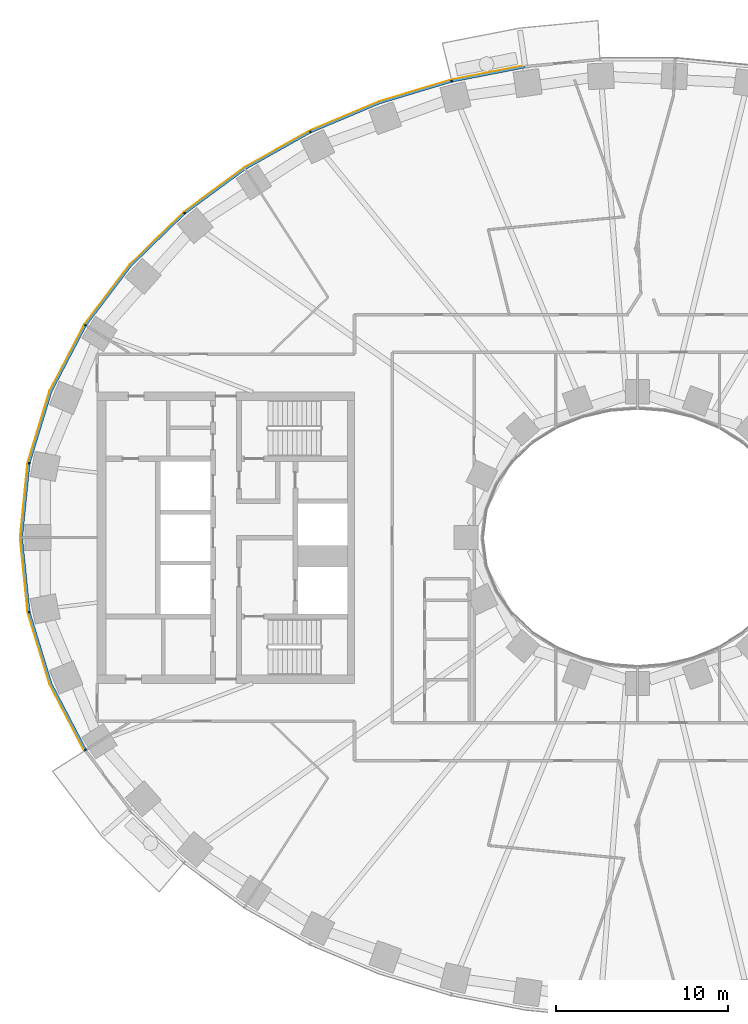
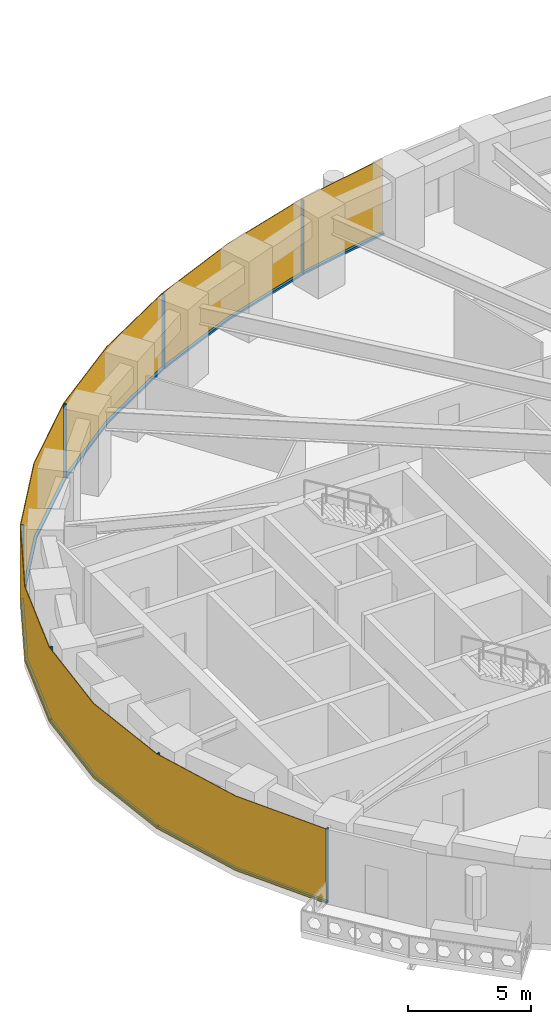
# One storey, part 11 of 16: 14 members, 1 curtain wall.
"""IFC4 building model written with IfcOpenShell, lengths in metres."""

from ifc_helpers import new_model, si_unit, direction, frame, origin, origin_2d, place, context, subcontext, project, spatial, polyline, rectangle, outline, extrude, material, layer, layer_set, material_profile, profile_set, type_object, element, aggregate, save


model = new_model("IFC4")

# Units and contexts
model_context = context("Model", 3, precision=1e-05, world=origin(), true_north=direction((0.0, 1.0)))
body_context = subcontext(model_context, "Body", "Model", "MODEL_VIEW")
ifc_project = project(units=[si_unit("LENGTHUNIT", "METRE"), si_unit("AREAUNIT", "SQUARE_METRE"), si_unit("VOLUMEUNIT", "CUBIC_METRE"), si_unit("PLANEANGLEUNIT", "RADIAN"), si_unit("MASSUNIT", "GRAM", prefix="KILO")], contexts=[model_context])

# Member
ifc_material_1 = material(Name="Aluminium 6063-T6 black anodised", Category="aluminium")
ifc_material_profile = material_profile(ifc_material_1, rectangle(XDim=0.1201171875, YDim=0.06005859375, at=origin_2d()), Name="120x60")
ifc_profile_set = profile_set([ifc_material_profile], Name="Aluminium 6063-T6 black anodised")
member_type_1 = type_object("IfcMemberType", Name="ENV-MULLION-A-120", PredefinedType="MULLION", material=ifc_profile_set)
site_placement = place(None, origin())
building_placement = place(site_placement, origin())
storey_placement = place(building_placement, frame((0.0, 0.0, 42.5)))
member_1_placement = place(storey_placement, frame((-10.84326171875, 26.60498046875, 0.0), z_axis=(0.0, 0.0, 1.0), x_axis=(0.239799081534, -0.970822538106, 0.0)))
member_1 = element("IfcMember", 1, at=member_1_placement, type_object=member_type_1, Name="Mullion A radial 15", PredefinedType="MULLION", context=body_context, shape_type="SweptSolid", body=[
    extrude(rectangle(XDim=0.1201171875, YDim=0.06005859375, at=origin_2d()), origin(), (0.0, 0.0, 1.0), 3.699951171875),
])

member_2_placement = place(storey_placement, frame((-19.06787109375, 23.6474609375, 0.0), z_axis=(0.0, 0.0, 1.0), x_axis=(0.439237769837, -0.898370848563, 0.0)))
member_2 = element("IfcMember", 2, at=member_2_placement, type_object=member_type_1, Name="Mullion A radial 17", PredefinedType="MULLION", context=body_context, shape_type="SweptSolid", body=[
    extrude(rectangle(XDim=0.1201171875, YDim=0.06005859375, at=origin_2d()), origin(), (0.0, 0.0, 1.0), 3.699951171875),
])

member_3_placement = place(storey_placement, frame((-26.403564453125, 18.9130859375, 0.0), z_axis=(0.0, 0.0, 1.0), x_axis=(0.646451313783, -0.762955240435, 0.0)))
member_3 = element("IfcMember", 3, at=member_3_placement, type_object=member_type_1, Name="Mullion A radial 19", PredefinedType="MULLION", context=body_context, shape_type="SweptSolid", body=[
    extrude(rectangle(XDim=0.1201171875, YDim=0.06005859375, at=origin_2d()), origin(), (0.0, 0.0, 1.0), 3.699951171875),
])

member_4_placement = place(storey_placement, frame((-32.177490234375, 12.385498046875, 0.0), z_axis=(0.0, 0.0, 1.0), x_axis=(0.844829880882, -0.53503501976, 0.0)))
member_4 = element("IfcMember", 4, at=member_4_placement, type_object=member_type_1, Name="Mullion A radial 21", PredefinedType="MULLION", context=body_context, shape_type="SweptSolid", body=[
    extrude(rectangle(XDim=0.1201171875, YDim=0.06005859375, at=origin_2d()), origin(), (0.0, 0.0, 1.0), 3.699951171875),
])

member_5_placement = place(storey_placement, frame((-35.470947265625, 4.340576171875, 0.0), z_axis=(0.0, 0.0, 1.0), x_axis=(0.980379083141, -0.19712141776, 0.0)))
member_5 = element("IfcMember", 5, at=member_5_placement, type_object=member_type_1, Name="Mullion A radial 23", PredefinedType="MULLION", context=body_context, shape_type="SweptSolid", body=[
    extrude(rectangle(XDim=0.1201171875, YDim=0.06005859375, at=origin_2d()), origin(), (0.0, 0.0, 1.0), 3.699951171875),
])

member_6_placement = place(storey_placement, frame((-35.470947265625, -4.340576171875, 0.0), z_axis=(0.0, 0.0, 1.0), x_axis=(0.980379083141, 0.19712141776, 0.0)))
member_6 = element("IfcMember", 6, at=member_6_placement, type_object=member_type_1, Name="Mullion A radial 25", PredefinedType="MULLION", context=body_context, shape_type="SweptSolid", body=[
    extrude(rectangle(XDim=0.1201171875, YDim=0.06005859375, at=origin_2d()), origin(), (0.0, 0.0, 1.0), 3.699951171875),
])

member_7_placement = place(storey_placement, frame((-32.177490234375, -12.385498046875, 0.0), z_axis=(0.0, 0.0, 1.0), x_axis=(0.844829880882, 0.53503501976, 0.0)))
member_7 = element("IfcMember", 7, at=member_7_placement, type_object=member_type_1, Name="Mullion A radial 27", PredefinedType="MULLION", context=body_context, shape_type="SweptSolid", body=[
    extrude(rectangle(XDim=0.1201171875, YDim=0.06005859375, at=origin_2d()), origin(), (0.0, 0.0, 1.0), 3.699951171875),
])

ifc_material_2 = material(Name="Aluminium 6063-T6 black anodised", Category="aluminium")
member_type_2 = type_object("IfcMemberType", Name="ENV-TRANSOM-A", PredefinedType="USERDEFINED", material=ifc_material_2)
member_8_placement = place(storey_placement, origin())
member_8 = element("IfcMember", 8, at=member_8_placement, type_object=member_type_2, Name="Transom A radial 14-15", ObjectType="TRANSOM", PredefinedType="USERDEFINED", context=body_context, shape_type="SweptSolid", body=[
    extrude(outline(polyline([(-6.57470703125, 27.49560546875), (-10.830078125, 26.66845703125), (-10.80126953125, 26.552001953125), (-6.5576171875, 27.376708984375), (-6.57470703125, 27.49560546875)])), origin(), (0.0, 0.0, 1.0), 0.10009765625),
])

member_9_placement = place(storey_placement, origin())
member_9 = element("IfcMember", 9, at=member_9_placement, type_object=member_type_2, Name="Transom A radial 15-17", ObjectType="TRANSOM", PredefinedType="USERDEFINED", context=body_context, shape_type="SweptSolid", body=[
    extrude(outline(polyline([(-10.884521484375, 26.655029296875), (-15.054443359375, 25.400146484375), (-19.068359375, 23.71240234375), (-19.015380859375, 23.604248046875), (-15.013916015625, 25.287109375), (-10.855712890625, 26.53857421875), (-10.884521484375, 26.655029296875)])), origin(), (0.0, 0.0, 1.0), 0.10009765625),
])

member_10_placement = place(storey_placement, origin())
member_10 = element("IfcMember", 10, at=member_10_placement, type_object=member_type_2, Name="Transom A radial 17-19", ObjectType="TRANSOM", PredefinedType="USERDEFINED", context=body_context, shape_type="SweptSolid", body=[
    extrude(outline(polyline([(-19.11865234375, 23.687744140625), (-22.9150390625, 21.556884765625), (-26.419921875, 18.975341796875), (-26.342041015625, 18.883544921875), (-22.85009765625, 21.455810546875), (-19.06591796875, 23.57958984375), (-19.11865234375, 23.687744140625)])), origin(), (0.0, 0.0, 1.0), 0.10009765625),
])

member_11_placement = place(storey_placement, origin())
member_11 = element("IfcMember", 11, at=member_11_placement, type_object=member_type_2, Name="Transom A radial 19-21", ObjectType="TRANSOM", PredefinedType="USERDEFINED", context=body_context, shape_type="SweptSolid", body=[
    extrude(outline(polyline([(-26.46240234375, 18.939208984375), (-29.58349609375, 15.906982421875), (-32.211181640625, 12.43994140625), (-32.109375, 12.37548828125), (-29.493408203125, 15.8271484375), (-26.384765625, 18.847412109375), (-26.46240234375, 18.939208984375)])), origin(), (0.0, 0.0, 1.0), 0.10009765625),
])

member_12_placement = place(storey_placement, origin())
member_12 = element("IfcMember", 12, at=member_12_placement, type_object=member_type_2, Name="Transom A radial 21-23", ObjectType="TRANSOM", PredefinedType="USERDEFINED", context=body_context, shape_type="SweptSolid", body=[
    extrude(outline(polyline([(-32.240966796875, 12.392578125), (-34.251220703125, 8.53662109375), (-35.521484375, 4.379150390625), (-35.4033203125, 4.355224609375), (-34.139892578125, 8.490966796875), (-32.139404296875, 12.328369140625), (-32.240966796875, 12.392578125)])), origin(), (0.0, 0.0, 1.0), 0.10009765625),
])

member_13_placement = place(storey_placement, origin())
member_13 = element("IfcMember", 13, at=member_13_placement, type_object=member_type_2, Name="Transom A radial 23-25", ObjectType="TRANSOM", PredefinedType="USERDEFINED", context=body_context, shape_type="SweptSolid", body=[
    extrude(outline(polyline([(-35.532470703125, 4.324462890625), (-35.9677734375, 0.0), (-35.532470703125, -4.324462890625), (-35.414306640625, -4.30078125), (-35.84716796875, 0.0), (-35.414306640625, 4.30078125), (-35.532470703125, 4.324462890625)])), origin(), (0.0, 0.0, 1.0), 0.10009765625),
])

member_14_placement = place(storey_placement, origin())
member_14 = element("IfcMember", 14, at=member_14_placement, type_object=member_type_2, Name="Transom A radial 25-27", ObjectType="TRANSOM", PredefinedType="USERDEFINED", context=body_context, shape_type="SweptSolid", body=[
    extrude(outline(polyline([(-35.521484375, -4.379150390625), (-34.251220703125, -8.53662109375), (-32.240966796875, -12.392578125), (-32.139404296875, -12.328369140625), (-34.139892578125, -8.490966796875), (-35.4033203125, -4.355224609375), (-35.521484375, -4.379150390625)])), origin(), (0.0, 0.0, 1.0), 0.10009765625),
])

# Site, building, storey
site = spatial("IfcSite", under=ifc_project, at=site_placement, CompositionType="ELEMENT")
building = spatial("IfcBuilding", under=site, at=building_placement, Name="Noorbagh Ring Tower", CompositionType="ELEMENT")
storey = spatial("IfcBuildingStorey", under=building, at=storey_placement, Name="L08", CompositionType="ELEMENT", Elevation=42.5)

# Curtain wall
ifc_material_3 = material(Name="Glass dark tinted laminated", Category="glass")
ifc_layer = layer(ifc_material_3, 0.031982421875)
ifc_layer_set = layer_set([ifc_layer], Name="Glass dark tinted laminated")
curtain_wall_type = type_object("IfcCurtainWallType", Name="ENV-CW-A", PredefinedType="NOTDEFINED", material=ifc_layer_set)
curtain_wall_placement = place(storey_placement, origin())
curtain_wall = element("IfcCurtainWall", 15, at=curtain_wall_placement, inside=storey, type_object=curtain_wall_type, Name="Curtain wall A R14", PredefinedType="NOTDEFINED", context=body_context, shape_type="SweptSolid", body=[
    extrude(outline(polyline([(-6.579345703125, 27.52734375), (-10.865234375, 26.6943359375), (-15.065185546875, 25.430419921875), (-19.108154296875, 23.730224609375), (-22.9326171875, 21.583740234375), (-26.463134765625, 18.9833984375), (-29.607666015625, 15.927978515625), (-32.255126953125, 12.434814453125), (-34.281005859375, 8.548828125), (-35.561279296875, 4.358642578125), (-36.0, 0.0), (-35.561279296875, -4.358642578125), (-34.281005859375, -8.548828125), (-32.264404296875, -12.4169921875), (-32.2373046875, -12.39990234375), (-34.251220703125, -8.53662109375), (-35.529541015625, -4.352294921875), (-35.9677734375, 0.0), (-35.529541015625, 4.352294921875), (-34.251220703125, 8.53662109375), (-32.22802734375, 12.41748046875), (-29.58349609375, 15.906982421875), (-26.4423828125, 18.958740234375), (-22.9150390625, 21.556884765625), (-19.093994140625, 23.701416015625), (-15.054443359375, 25.400146484375), (-10.857666015625, 26.6630859375), (-6.57470703125, 27.49560546875), (-6.579345703125, 27.52734375)])), origin(), (0.0, 0.0, 1.0), 3.699951171875),
])

aggregate(curtain_wall, [member_1, member_2, member_3, member_4, member_5, member_6, member_7, member_8, member_9, member_10, member_11, member_12, member_13, member_14])

save(model, "model.ifc")
